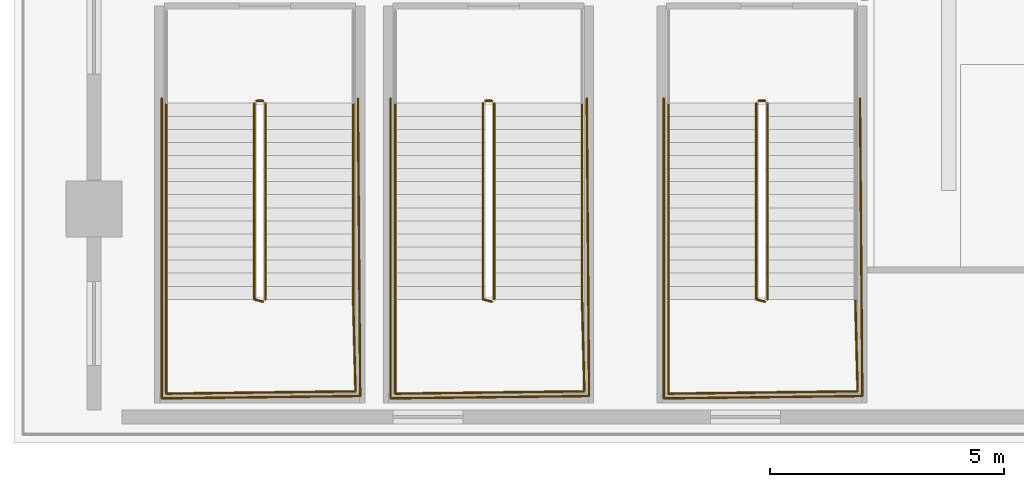
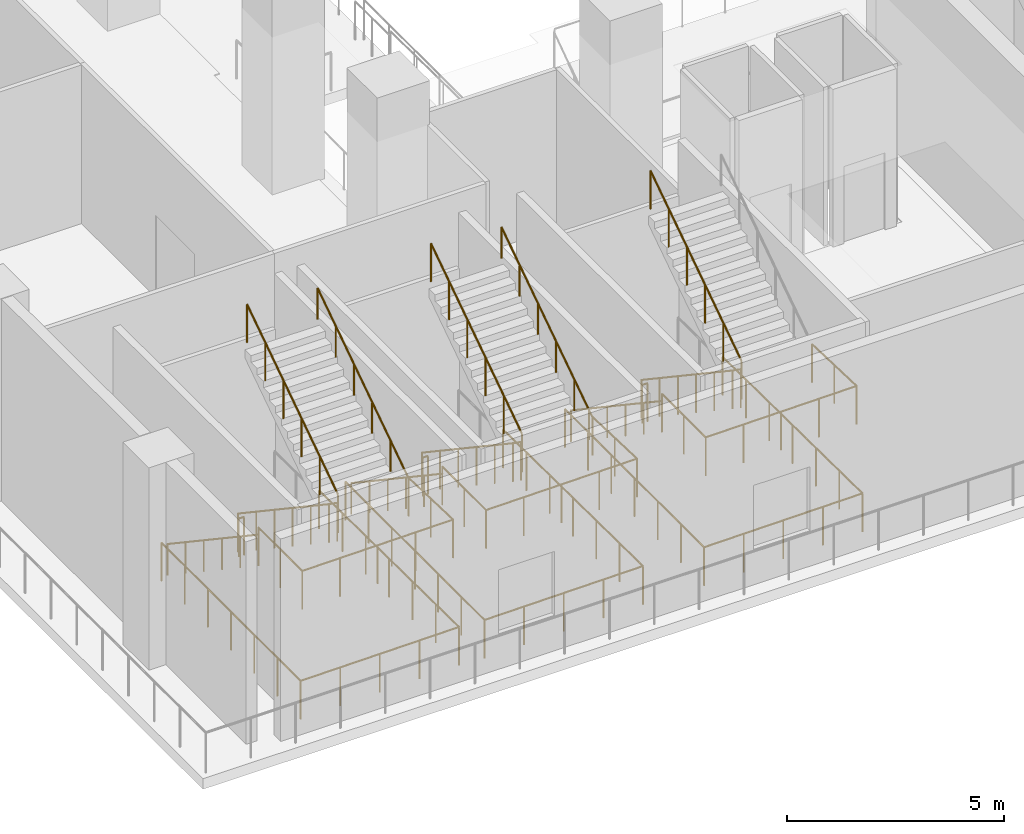
# One storey, part 14 of 28: 20 railings.
"""IFC4 building model written with IfcOpenShell, lengths in metres."""

from ifc_helpers import new_model, si_unit, direction, frame, origin, origin_2d, place, context, subcontext, project, spatial, circle, extrude, material, layer, layer_set, type_object, element, save


model = new_model("IFC4")

# Units and contexts
model_context = context("Model", 3, precision=1e-05, world=origin(), true_north=direction((0.0, 1.0)))
body_context = subcontext(model_context, "Body", "Model", "MODEL_VIEW")
ifc_project = project(units=[si_unit("LENGTHUNIT", "METRE"), si_unit("AREAUNIT", "SQUARE_METRE"), si_unit("VOLUMEUNIT", "CUBIC_METRE"), si_unit("PLANEANGLEUNIT", "RADIAN"), si_unit("MASSUNIT", "GRAM", prefix="KILO")], contexts=[model_context])

# Site, building, storey
site_placement = place(None, origin())
site = spatial("IfcSite", under=ifc_project, at=site_placement, CompositionType="ELEMENT")
building_placement = place(site_placement, origin())
building = spatial("IfcBuilding", under=site, at=building_placement, Name="Ndaravel Arena Tower", CompositionType="ELEMENT")
storey_placement = place(building_placement, frame((0.0, 0.0, 18.0)))
storey = spatial("IfcBuildingStorey", under=building, at=storey_placement, Name="L03", CompositionType="ELEMENT", Elevation=18.0)

# Railings
ifc_material_1 = material(Name="Steel S355", Category="steel")
ifc_layer_1 = layer(ifc_material_1, 0.06005859375)
ifc_layer_set_1 = layer_set([ifc_layer_1], Name="Steel S355")
railing_type_1 = type_object("IfcRailingType", Name="RAIL-STAIR-GD1100", PredefinedType="GUARDRAIL", material=ifc_layer_set_1)
railing_1_placement = place(storey_placement, frame((5.1298828125, 7.27001953125, 0.1875)))
element("IfcRailing", 1, at=railing_1_placement, inside=storey, type_object=railing_type_1, Name="L03 ST-A01 stair guard 1", PredefinedType="GUARDRAIL", context=body_context, shape_type="SweptSolid", body=[
    extrude(circle(Radius=0.02392578125, at=origin_2d()), frame((0.0, 0.0, 1.076171875), z_axis=(0.0, -0.830904186295, 0.556415522067), x_axis=(1.0, 0.0, 0.0)), (0.0, 0.0, 1.0), 5.0546875),
    extrude(circle(Radius=0.02392578125, at=origin_2d()), frame((0.0, -4.199951171875, 3.888671875), z_axis=(0.967074537263, -0.25449329928, 0.0), x_axis=(0.25449329928, 0.967074537263, 0.0)), (0.0, 0.0, 1.0), 0.19677734375),
    extrude(circle(Radius=0.02099609375, at=origin_2d()), origin(), (0.0, 0.0, 1.0), 1.052001953125),
    extrude(circle(Radius=0.02099609375, at=origin_2d()), frame((0.0, -0.840087890625, 0.5625)), (0.0, 0.0, 1.0), 1.052001953125),
    extrude(circle(Radius=0.02099609375, at=origin_2d()), frame((0.0, -1.679931640625, 1.125)), (0.0, 0.0, 1.0), 1.052001953125),
    extrude(circle(Radius=0.02099609375, at=origin_2d()), frame((0.0, -2.52001953125, 1.6875)), (0.0, 0.0, 1.0), 1.052001953125),
    extrude(circle(Radius=0.02099609375, at=origin_2d()), frame((0.0, -3.35986328125, 2.25)), (0.0, 0.0, 1.0), 1.052001953125),
    extrude(circle(Radius=0.02099609375, at=origin_2d()), frame((0.0, -4.199951171875, 2.8125)), (0.0, 0.0, 1.0), 1.052001953125),
    extrude(circle(Radius=0.02099609375, at=origin_2d()), frame((0.190185546875, -4.25, 2.8125)), (0.0, 0.0, 1.0), 1.052001953125),
])
railing_2_placement = place(storey_placement, frame((3.25, 3.070068359375, 3.0)))
element("IfcRailing", 2, at=railing_2_placement, inside=storey, type_object=railing_type_1, Name="L03 ST-A01 stair guard 2", PredefinedType="GUARDRAIL", context=body_context, shape_type="SweptSolid", body=[
    extrude(circle(Radius=0.02392578125, at=origin_2d()), frame((0.0, 0.0, 1.076171875), z_axis=(0.0, -1.0, 0.0), x_axis=(1.0, 0.0, 0.0)), (0.0, 0.0, 1.0), 2.02001953125),
    extrude(circle(Radius=0.02392578125, at=origin_2d()), frame((0.0, -2.02001953125, 1.076171875), z_axis=(0.999923653774, 0.012356642897, 0.0), x_axis=(-0.012356642897, 0.999923653774, 0.0)), (0.0, 0.0, 1.0), 4.05029296875),
    extrude(circle(Radius=0.02392578125, at=origin_2d()), frame((4.050048828125, -1.969970703125, 1.076171875), z_axis=(-0.025397679083, 0.999677426922, 0.0), x_axis=(-0.999677426922, -0.025397679083, 0.0)), (0.0, 0.0, 1.0), 1.970703125),
    extrude(circle(Radius=0.02099609375, at=origin_2d()), origin(), (0.0, 0.0, 1.0), 1.052001953125),
    extrude(circle(Radius=0.02099609375, at=origin_2d()), frame((0.0, -1.010009765625, 0.0)), (0.0, 0.0, 1.0), 1.052001953125),
    extrude(circle(Radius=0.02099609375, at=origin_2d()), frame((0.0, -2.02001953125, 0.0)), (0.0, 0.0, 1.0), 1.052001953125),
    extrude(circle(Radius=0.02099609375, at=origin_2d()), frame((1.012451171875, -2.007568359375, 0.0)), (0.0, 0.0, 1.0), 1.052001953125),
    extrude(circle(Radius=0.02099609375, at=origin_2d()), frame((2.02490234375, -1.9951171875, 0.0)), (0.0, 0.0, 1.0), 1.052001953125),
    extrude(circle(Radius=0.02099609375, at=origin_2d()), frame((3.03759765625, -1.982421875, 0.0)), (0.0, 0.0, 1.0), 1.052001953125),
    extrude(circle(Radius=0.02099609375, at=origin_2d()), frame((4.050048828125, -1.969970703125, 0.0)), (0.0, 0.0, 1.0), 1.052001953125),
    extrude(circle(Radius=0.02099609375, at=origin_2d()), frame((4.02490234375, -0.98486328125, 0.0)), (0.0, 0.0, 1.0), 1.052001953125),
    extrude(circle(Radius=0.02099609375, at=origin_2d()), frame((4.0, 0.0, 0.0)), (0.0, 0.0, 1.0), 1.052001953125),
])
railing_3_placement = place(storey_placement, frame((5.3701171875, 3.070068359375, 3.1875)))
element("IfcRailing", 3, at=railing_3_placement, inside=storey, type_object=railing_type_1, Name="L03 ST-A01 stair guard 3", PredefinedType="GUARDRAIL", context=body_context, shape_type="SweptSolid", body=[
    extrude(circle(Radius=0.02392578125, at=origin_2d()), frame((0.0, 0.0, 1.076171875), z_axis=(0.0, 0.830904186295, 0.556415522067), x_axis=(-1.0, 0.0, 0.0)), (0.0, 0.0, 1.0), 5.0546875),
    extrude(circle(Radius=0.02099609375, at=origin_2d()), origin(), (0.0, 0.0, 1.0), 1.052001953125),
    extrude(circle(Radius=0.02099609375, at=origin_2d()), frame((0.0, 0.840087890625, 0.5625)), (0.0, 0.0, 1.0), 1.052001953125),
    extrude(circle(Radius=0.02099609375, at=origin_2d()), frame((0.0, 1.679931640625, 1.125)), (0.0, 0.0, 1.0), 1.052001953125),
    extrude(circle(Radius=0.02099609375, at=origin_2d()), frame((0.0, 2.52001953125, 1.6875)), (0.0, 0.0, 1.0), 1.052001953125),
    extrude(circle(Radius=0.02099609375, at=origin_2d()), frame((0.0, 3.35986328125, 2.25)), (0.0, 0.0, 1.0), 1.052001953125),
    extrude(circle(Radius=0.02099609375, at=origin_2d()), frame((0.0, 4.199951171875, 2.8125)), (0.0, 0.0, 1.0), 1.052001953125),
])
railing_4_placement = place(storey_placement, frame((5.179931640625, 7.320068359375, 0.0)))
element("IfcRailing", 4, at=railing_4_placement, inside=storey, type_object=railing_type_1, Name="L03 ST-A01 stair guard 4", PredefinedType="GUARDRAIL", context=body_context, shape_type="SweptSolid", body=[
    extrude(circle(Radius=0.02392578125, at=origin_2d()), frame((0.0, 0.0, 1.076171875), z_axis=(1.0, 0.0, 0.0), x_axis=(0.0, 1.0, 0.0)), (0.0, 0.0, 1.0), 0.14013671875),
    extrude(circle(Radius=0.02099609375, at=origin_2d()), origin(), (0.0, 0.0, 1.0), 1.052001953125),
    extrude(circle(Radius=0.02099609375, at=origin_2d()), frame((0.14013671875, 0.0, 0.0)), (0.0, 0.0, 1.0), 1.052001953125),
])
railing_5_placement = place(storey_placement, frame((3.14990234375, 7.3701171875, 0.0)))
element("IfcRailing", 5, at=railing_5_placement, inside=storey, type_object=railing_type_1, Name="L03 ST-A01 stair guard 7", PredefinedType="GUARDRAIL", context=body_context, shape_type="SweptSolid", body=[
    extrude(circle(Radius=0.02392578125, at=origin_2d()), frame((0.0, 0.0, 1.076171875), z_axis=(0.0, -1.0, 0.0), x_axis=(1.0, 0.0, 0.0)), (0.0, 0.0, 1.0), 6.420166015625),
    extrude(circle(Radius=0.02392578125, at=origin_2d()), frame((0.0, -6.420166015625, 1.076171875), z_axis=(0.999930667828, 0.011775378384, 0.0), x_axis=(-0.011775378384, 0.999930667828, 0.0)), (0.0, 0.0, 1.0), 4.250244140625),
    extrude(circle(Radius=0.02392578125, at=origin_2d()), frame((4.25, -6.3701171875, 1.076171875), z_axis=(-0.007818249469, 0.999969437021, 0.0), x_axis=(-0.999969437021, -0.007818249469, 0.0)), (0.0, 0.0, 1.0), 6.370361328125),
    extrude(circle(Radius=0.02099609375, at=origin_2d()), origin(), (0.0, 0.0, 1.0), 1.052001953125),
    extrude(circle(Radius=0.02099609375, at=origin_2d()), frame((0.0, -1.070068359375, 0.0)), (0.0, 0.0, 1.0), 1.052001953125),
    extrude(circle(Radius=0.02099609375, at=origin_2d()), frame((0.0, -2.14013671875, 0.0)), (0.0, 0.0, 1.0), 1.052001953125),
    extrude(circle(Radius=0.02099609375, at=origin_2d()), frame((0.0, -3.2099609375, 0.0)), (0.0, 0.0, 1.0), 1.052001953125),
    extrude(circle(Radius=0.02099609375, at=origin_2d()), frame((0.0, -4.280029296875, 0.0)), (0.0, 0.0, 1.0), 1.052001953125),
    extrude(circle(Radius=0.02099609375, at=origin_2d()), frame((0.0, -5.35009765625, 0.0)), (0.0, 0.0, 1.0), 1.052001953125),
    extrude(circle(Radius=0.02099609375, at=origin_2d()), frame((0.0, -6.420166015625, 0.0)), (0.0, 0.0, 1.0), 1.052001953125),
    extrude(circle(Radius=0.02099609375, at=origin_2d()), frame((1.0625, -6.40771484375, 0.0)), (0.0, 0.0, 1.0), 1.052001953125),
    extrude(circle(Radius=0.02099609375, at=origin_2d()), frame((2.125, -6.39501953125, 0.0)), (0.0, 0.0, 1.0), 1.052001953125),
    extrude(circle(Radius=0.02099609375, at=origin_2d()), frame((3.1875, -6.382568359375, 0.0)), (0.0, 0.0, 1.0), 1.052001953125),
    extrude(circle(Radius=0.02099609375, at=origin_2d()), frame((4.25, -6.3701171875, 0.0)), (0.0, 0.0, 1.0), 1.052001953125),
    extrude(circle(Radius=0.02099609375, at=origin_2d()), frame((4.24169921875, -5.308349609375, 0.0)), (0.0, 0.0, 1.0), 1.052001953125),
    extrude(circle(Radius=0.02099609375, at=origin_2d()), frame((4.2333984375, -4.246826171875, 0.0)), (0.0, 0.0, 1.0), 1.052001953125),
    extrude(circle(Radius=0.02099609375, at=origin_2d()), frame((4.22509765625, -3.18505859375, 0.0)), (0.0, 0.0, 1.0), 1.052001953125),
    extrude(circle(Radius=0.02099609375, at=origin_2d()), frame((4.216796875, -2.123291015625, 0.0)), (0.0, 0.0, 1.0), 1.052001953125),
    extrude(circle(Radius=0.02099609375, at=origin_2d()), frame((4.20849609375, -1.061767578125, 0.0)), (0.0, 0.0, 1.0), 1.052001953125),
    extrude(circle(Radius=0.02099609375, at=origin_2d()), frame((4.2001953125, 0.0, 0.0)), (0.0, 0.0, 1.0), 1.052001953125),
])
railing_6_placement = place(storey_placement, frame((10.030029296875, 7.27001953125, 0.1875)))
element("IfcRailing", 6, at=railing_6_placement, inside=storey, type_object=railing_type_1, Name="L03 ST-A02 stair guard 1", PredefinedType="GUARDRAIL", context=body_context, shape_type="SweptSolid", body=[
    extrude(circle(Radius=0.02392578125, at=origin_2d()), frame((0.0, 0.0, 1.076171875), z_axis=(0.0, -0.830904186295, 0.556415522067), x_axis=(1.0, 0.0, 0.0)), (0.0, 0.0, 1.0), 5.0546875),
    extrude(circle(Radius=0.02392578125, at=origin_2d()), frame((0.0, -4.199951171875, 3.888671875), z_axis=(0.966993988697, -0.254799187253, 0.0), x_axis=(0.254799187253, 0.966993988697, 0.0)), (0.0, 0.0, 1.0), 0.196533203125),
    extrude(circle(Radius=0.02099609375, at=origin_2d()), origin(), (0.0, 0.0, 1.0), 1.052001953125),
    extrude(circle(Radius=0.02099609375, at=origin_2d()), frame((0.0, -0.840087890625, 0.5625)), (0.0, 0.0, 1.0), 1.052001953125),
    extrude(circle(Radius=0.02099609375, at=origin_2d()), frame((0.0, -1.679931640625, 1.125)), (0.0, 0.0, 1.0), 1.052001953125),
    extrude(circle(Radius=0.02099609375, at=origin_2d()), frame((0.0, -2.52001953125, 1.6875)), (0.0, 0.0, 1.0), 1.052001953125),
    extrude(circle(Radius=0.02099609375, at=origin_2d()), frame((0.0, -3.35986328125, 2.25)), (0.0, 0.0, 1.0), 1.052001953125),
    extrude(circle(Radius=0.02099609375, at=origin_2d()), frame((0.0, -4.199951171875, 2.8125)), (0.0, 0.0, 1.0), 1.052001953125),
    extrude(circle(Radius=0.02099609375, at=origin_2d()), frame((0.18994140625, -4.25, 2.8125)), (0.0, 0.0, 1.0), 1.052001953125),
])
railing_7_placement = place(storey_placement, frame((8.14990234375, 3.070068359375, 3.0)))
element("IfcRailing", 7, at=railing_7_placement, inside=storey, type_object=railing_type_1, Name="L03 ST-A02 stair guard 2", PredefinedType="GUARDRAIL", context=body_context, shape_type="SweptSolid", body=[
    extrude(circle(Radius=0.02392578125, at=origin_2d()), frame((0.0, 0.0, 1.076171875), z_axis=(0.0, -1.0, 0.0), x_axis=(1.0, 0.0, 0.0)), (0.0, 0.0, 1.0), 2.02001953125),
    extrude(circle(Radius=0.02392578125, at=origin_2d()), frame((0.0, -2.02001953125, 1.076171875), z_axis=(0.999923653774, 0.012356642897, 0.0), x_axis=(-0.012356642897, 0.999923653774, 0.0)), (0.0, 0.0, 1.0), 4.05029296875),
    extrude(circle(Radius=0.02392578125, at=origin_2d()), frame((4.050048828125, -1.969970703125, 1.076171875), z_axis=(-0.025397679083, 0.999677426922, 0.0), x_axis=(-0.999677426922, -0.025397679083, 0.0)), (0.0, 0.0, 1.0), 1.970703125),
    extrude(circle(Radius=0.02099609375, at=origin_2d()), origin(), (0.0, 0.0, 1.0), 1.052001953125),
    extrude(circle(Radius=0.02099609375, at=origin_2d()), frame((0.0, -1.010009765625, 0.0)), (0.0, 0.0, 1.0), 1.052001953125),
    extrude(circle(Radius=0.02099609375, at=origin_2d()), frame((0.0, -2.02001953125, 0.0)), (0.0, 0.0, 1.0), 1.052001953125),
    extrude(circle(Radius=0.02099609375, at=origin_2d()), frame((1.012451171875, -2.007568359375, 0.0)), (0.0, 0.0, 1.0), 1.052001953125),
    extrude(circle(Radius=0.02099609375, at=origin_2d()), frame((2.02490234375, -1.9951171875, 0.0)), (0.0, 0.0, 1.0), 1.052001953125),
    extrude(circle(Radius=0.02099609375, at=origin_2d()), frame((3.03759765625, -1.982421875, 0.0)), (0.0, 0.0, 1.0), 1.052001953125),
    extrude(circle(Radius=0.02099609375, at=origin_2d()), frame((4.050048828125, -1.969970703125, 0.0)), (0.0, 0.0, 1.0), 1.052001953125),
    extrude(circle(Radius=0.02099609375, at=origin_2d()), frame((4.02490234375, -0.98486328125, 0.0)), (0.0, 0.0, 1.0), 1.052001953125),
    extrude(circle(Radius=0.02099609375, at=origin_2d()), frame((4.0, 0.0, 0.0)), (0.0, 0.0, 1.0), 1.052001953125),
])
railing_8_placement = place(storey_placement, frame((10.27001953125, 3.070068359375, 3.1875)))
element("IfcRailing", 8, at=railing_8_placement, inside=storey, type_object=railing_type_1, Name="L03 ST-A02 stair guard 3", PredefinedType="GUARDRAIL", context=body_context, shape_type="SweptSolid", body=[
    extrude(circle(Radius=0.02392578125, at=origin_2d()), frame((0.0, 0.0, 1.076171875), z_axis=(0.0, 0.830904186295, 0.556415522067), x_axis=(-1.0, 0.0, 0.0)), (0.0, 0.0, 1.0), 5.0546875),
    extrude(circle(Radius=0.02099609375, at=origin_2d()), origin(), (0.0, 0.0, 1.0), 1.052001953125),
    extrude(circle(Radius=0.02099609375, at=origin_2d()), frame((0.0, 0.840087890625, 0.5625)), (0.0, 0.0, 1.0), 1.052001953125),
    extrude(circle(Radius=0.02099609375, at=origin_2d()), frame((0.0, 1.679931640625, 1.125)), (0.0, 0.0, 1.0), 1.052001953125),
    extrude(circle(Radius=0.02099609375, at=origin_2d()), frame((0.0, 2.52001953125, 1.6875)), (0.0, 0.0, 1.0), 1.052001953125),
    extrude(circle(Radius=0.02099609375, at=origin_2d()), frame((0.0, 3.35986328125, 2.25)), (0.0, 0.0, 1.0), 1.052001953125),
    extrude(circle(Radius=0.02099609375, at=origin_2d()), frame((0.0, 4.199951171875, 2.8125)), (0.0, 0.0, 1.0), 1.052001953125),
])
railing_9_placement = place(storey_placement, frame((10.080078125, 7.320068359375, 0.0)))
element("IfcRailing", 9, at=railing_9_placement, inside=storey, type_object=railing_type_1, Name="L03 ST-A02 stair guard 4", PredefinedType="GUARDRAIL", context=body_context, shape_type="SweptSolid", body=[
    extrude(circle(Radius=0.02392578125, at=origin_2d()), frame((0.0, 0.0, 1.076171875), z_axis=(1.0, 0.0, 0.0), x_axis=(0.0, 1.0, 0.0)), (0.0, 0.0, 1.0), 0.139892578125),
    extrude(circle(Radius=0.02099609375, at=origin_2d()), origin(), (0.0, 0.0, 1.0), 1.052001953125),
    extrude(circle(Radius=0.02099609375, at=origin_2d()), frame((0.139892578125, 0.0, 0.0)), (0.0, 0.0, 1.0), 1.052001953125),
])
railing_10_placement = place(storey_placement, frame((8.050048828125, 7.3701171875, 0.0)))
element("IfcRailing", 10, at=railing_10_placement, inside=storey, type_object=railing_type_1, Name="L03 ST-A02 stair guard 7", PredefinedType="GUARDRAIL", context=body_context, shape_type="SweptSolid", body=[
    extrude(circle(Radius=0.02392578125, at=origin_2d()), frame((0.0, 0.0, 1.076171875), z_axis=(0.0, -1.0, 0.0), x_axis=(1.0, 0.0, 0.0)), (0.0, 0.0, 1.0), 6.420166015625),
    extrude(circle(Radius=0.02392578125, at=origin_2d()), frame((0.0, -6.420166015625, 1.076171875), z_axis=(0.999930667828, 0.011775378384, 0.0), x_axis=(-0.011775378384, 0.999930667828, 0.0)), (0.0, 0.0, 1.0), 4.250244140625),
    extrude(circle(Radius=0.02392578125, at=origin_2d()), frame((4.25, -6.3701171875, 1.076171875), z_axis=(-0.007856571862, 0.999969136663, 0.0), x_axis=(-0.999969136663, -0.007856571862, 0.0)), (0.0, 0.0, 1.0), 6.370361328125),
    extrude(circle(Radius=0.02099609375, at=origin_2d()), origin(), (0.0, 0.0, 1.0), 1.052001953125),
    extrude(circle(Radius=0.02099609375, at=origin_2d()), frame((0.0, -1.070068359375, 0.0)), (0.0, 0.0, 1.0), 1.052001953125),
    extrude(circle(Radius=0.02099609375, at=origin_2d()), frame((0.0, -2.14013671875, 0.0)), (0.0, 0.0, 1.0), 1.052001953125),
    extrude(circle(Radius=0.02099609375, at=origin_2d()), frame((0.0, -3.2099609375, 0.0)), (0.0, 0.0, 1.0), 1.052001953125),
    extrude(circle(Radius=0.02099609375, at=origin_2d()), frame((0.0, -4.280029296875, 0.0)), (0.0, 0.0, 1.0), 1.052001953125),
    extrude(circle(Radius=0.02099609375, at=origin_2d()), frame((0.0, -5.35009765625, 0.0)), (0.0, 0.0, 1.0), 1.052001953125),
    extrude(circle(Radius=0.02099609375, at=origin_2d()), frame((0.0, -6.420166015625, 0.0)), (0.0, 0.0, 1.0), 1.052001953125),
    extrude(circle(Radius=0.02099609375, at=origin_2d()), frame((1.0625, -6.40771484375, 0.0)), (0.0, 0.0, 1.0), 1.052001953125),
    extrude(circle(Radius=0.02099609375, at=origin_2d()), frame((2.125, -6.39501953125, 0.0)), (0.0, 0.0, 1.0), 1.052001953125),
    extrude(circle(Radius=0.02099609375, at=origin_2d()), frame((3.1875, -6.382568359375, 0.0)), (0.0, 0.0, 1.0), 1.052001953125),
    extrude(circle(Radius=0.02099609375, at=origin_2d()), frame((4.25, -6.3701171875, 0.0)), (0.0, 0.0, 1.0), 1.052001953125),
    extrude(circle(Radius=0.02099609375, at=origin_2d()), frame((4.24169921875, -5.308349609375, 0.0)), (0.0, 0.0, 1.0), 1.052001953125),
    extrude(circle(Radius=0.02099609375, at=origin_2d()), frame((4.2333984375, -4.246826171875, 0.0)), (0.0, 0.0, 1.0), 1.052001953125),
    extrude(circle(Radius=0.02099609375, at=origin_2d()), frame((4.22509765625, -3.18505859375, 0.0)), (0.0, 0.0, 1.0), 1.052001953125),
    extrude(circle(Radius=0.02099609375, at=origin_2d()), frame((4.216552734375, -2.123291015625, 0.0)), (0.0, 0.0, 1.0), 1.052001953125),
    extrude(circle(Radius=0.02099609375, at=origin_2d()), frame((4.208251953125, -1.061767578125, 0.0)), (0.0, 0.0, 1.0), 1.052001953125),
    extrude(circle(Radius=0.02099609375, at=origin_2d()), frame((4.199951171875, 0.0, 0.0)), (0.0, 0.0, 1.0), 1.052001953125),
])
railing_11_placement = place(storey_placement, frame((15.8798828125, 7.27001953125, 0.1875)))
element("IfcRailing", 11, at=railing_11_placement, inside=storey, type_object=railing_type_1, Name="L03 ST-A03 stair guard 1", PredefinedType="GUARDRAIL", context=body_context, shape_type="SweptSolid", body=[
    extrude(circle(Radius=0.02392578125, at=origin_2d()), frame((0.0, 0.0, 1.076171875), z_axis=(0.0, -0.830904186295, 0.556415522067), x_axis=(1.0, 0.0, 0.0)), (0.0, 0.0, 1.0), 5.0546875),
    extrude(circle(Radius=0.02392578125, at=origin_2d()), frame((0.0, -4.199951171875, 3.888671875), z_axis=(0.967074537263, -0.25449329928, 0.0), x_axis=(0.25449329928, 0.967074537263, 0.0)), (0.0, 0.0, 1.0), 0.19677734375),
    extrude(circle(Radius=0.02099609375, at=origin_2d()), origin(), (0.0, 0.0, 1.0), 1.052001953125),
    extrude(circle(Radius=0.02099609375, at=origin_2d()), frame((0.0, -0.840087890625, 0.5625)), (0.0, 0.0, 1.0), 1.052001953125),
    extrude(circle(Radius=0.02099609375, at=origin_2d()), frame((0.0, -1.679931640625, 1.125)), (0.0, 0.0, 1.0), 1.052001953125),
    extrude(circle(Radius=0.02099609375, at=origin_2d()), frame((0.0, -2.52001953125, 1.6875)), (0.0, 0.0, 1.0), 1.052001953125),
    extrude(circle(Radius=0.02099609375, at=origin_2d()), frame((0.0, -3.35986328125, 2.25)), (0.0, 0.0, 1.0), 1.052001953125),
    extrude(circle(Radius=0.02099609375, at=origin_2d()), frame((0.0, -4.199951171875, 2.8125)), (0.0, 0.0, 1.0), 1.052001953125),
    extrude(circle(Radius=0.02099609375, at=origin_2d()), frame((0.190185546875, -4.25, 2.8125)), (0.0, 0.0, 1.0), 1.052001953125),
])
railing_12_placement = place(storey_placement, frame((14.0, 3.070068359375, 3.0)))
element("IfcRailing", 12, at=railing_12_placement, inside=storey, type_object=railing_type_1, Name="L03 ST-A03 stair guard 2", PredefinedType="GUARDRAIL", context=body_context, shape_type="SweptSolid", body=[
    extrude(circle(Radius=0.02392578125, at=origin_2d()), frame((0.0, 0.0, 1.076171875), z_axis=(0.0, -1.0, 0.0), x_axis=(1.0, 0.0, 0.0)), (0.0, 0.0, 1.0), 2.02001953125),
    extrude(circle(Radius=0.02392578125, at=origin_2d()), frame((0.0, -2.02001953125, 1.076171875), z_axis=(0.999923653774, 0.012356642897, 0.0), x_axis=(-0.012356642897, 0.999923653774, 0.0)), (0.0, 0.0, 1.0), 4.05029296875),
    extrude(circle(Radius=0.02392578125, at=origin_2d()), frame((4.050048828125, -1.969970703125, 1.076171875), z_axis=(-0.025397679083, 0.999677426922, 0.0), x_axis=(-0.999677426922, -0.025397679083, 0.0)), (0.0, 0.0, 1.0), 1.970703125),
    extrude(circle(Radius=0.02099609375, at=origin_2d()), origin(), (0.0, 0.0, 1.0), 1.052001953125),
    extrude(circle(Radius=0.02099609375, at=origin_2d()), frame((0.0, -1.010009765625, 0.0)), (0.0, 0.0, 1.0), 1.052001953125),
    extrude(circle(Radius=0.02099609375, at=origin_2d()), frame((0.0, -2.02001953125, 0.0)), (0.0, 0.0, 1.0), 1.052001953125),
    extrude(circle(Radius=0.02099609375, at=origin_2d()), frame((1.012451171875, -2.007568359375, 0.0)), (0.0, 0.0, 1.0), 1.052001953125),
    extrude(circle(Radius=0.02099609375, at=origin_2d()), frame((2.02490234375, -1.9951171875, 0.0)), (0.0, 0.0, 1.0), 1.052001953125),
    extrude(circle(Radius=0.02099609375, at=origin_2d()), frame((3.03759765625, -1.982421875, 0.0)), (0.0, 0.0, 1.0), 1.052001953125),
    extrude(circle(Radius=0.02099609375, at=origin_2d()), frame((4.050048828125, -1.969970703125, 0.0)), (0.0, 0.0, 1.0), 1.052001953125),
    extrude(circle(Radius=0.02099609375, at=origin_2d()), frame((4.02490234375, -0.98486328125, 0.0)), (0.0, 0.0, 1.0), 1.052001953125),
    extrude(circle(Radius=0.02099609375, at=origin_2d()), frame((4.0, 0.0, 0.0)), (0.0, 0.0, 1.0), 1.052001953125),
])
railing_13_placement = place(storey_placement, frame((16.1201171875, 3.070068359375, 3.1875)))
element("IfcRailing", 13, at=railing_13_placement, inside=storey, type_object=railing_type_1, Name="L03 ST-A03 stair guard 3", PredefinedType="GUARDRAIL", context=body_context, shape_type="SweptSolid", body=[
    extrude(circle(Radius=0.02392578125, at=origin_2d()), frame((0.0, 0.0, 1.076171875), z_axis=(0.0, 0.830904186295, 0.556415522067), x_axis=(-1.0, 0.0, 0.0)), (0.0, 0.0, 1.0), 5.0546875),
    extrude(circle(Radius=0.02099609375, at=origin_2d()), origin(), (0.0, 0.0, 1.0), 1.052001953125),
    extrude(circle(Radius=0.02099609375, at=origin_2d()), frame((0.0, 0.840087890625, 0.5625)), (0.0, 0.0, 1.0), 1.052001953125),
    extrude(circle(Radius=0.02099609375, at=origin_2d()), frame((0.0, 1.679931640625, 1.125)), (0.0, 0.0, 1.0), 1.052001953125),
    extrude(circle(Radius=0.02099609375, at=origin_2d()), frame((0.0, 2.52001953125, 1.6875)), (0.0, 0.0, 1.0), 1.052001953125),
    extrude(circle(Radius=0.02099609375, at=origin_2d()), frame((0.0, 3.35986328125, 2.25)), (0.0, 0.0, 1.0), 1.052001953125),
    extrude(circle(Radius=0.02099609375, at=origin_2d()), frame((0.0, 4.199951171875, 2.8125)), (0.0, 0.0, 1.0), 1.052001953125),
])
railing_14_placement = place(storey_placement, frame((15.929931640625, 7.320068359375, 0.0)))
element("IfcRailing", 14, at=railing_14_placement, inside=storey, type_object=railing_type_1, Name="L03 ST-A03 stair guard 4", PredefinedType="GUARDRAIL", context=body_context, shape_type="SweptSolid", body=[
    extrude(circle(Radius=0.02392578125, at=origin_2d()), frame((0.0, 0.0, 1.076171875), z_axis=(1.0, 0.0, 0.0), x_axis=(0.0, 1.0, 0.0)), (0.0, 0.0, 1.0), 0.14013671875),
    extrude(circle(Radius=0.02099609375, at=origin_2d()), origin(), (0.0, 0.0, 1.0), 1.052001953125),
    extrude(circle(Radius=0.02099609375, at=origin_2d()), frame((0.14013671875, 0.0, 0.0)), (0.0, 0.0, 1.0), 1.052001953125),
])
railing_15_placement = place(storey_placement, frame((13.89990234375, 7.3701171875, 0.0)))
element("IfcRailing", 15, at=railing_15_placement, inside=storey, type_object=railing_type_1, Name="L03 ST-A03 stair guard 7", PredefinedType="GUARDRAIL", context=body_context, shape_type="SweptSolid", body=[
    extrude(circle(Radius=0.02392578125, at=origin_2d()), frame((0.0, 0.0, 1.076171875), z_axis=(0.0, -1.0, 0.0), x_axis=(1.0, 0.0, 0.0)), (0.0, 0.0, 1.0), 6.420166015625),
    extrude(circle(Radius=0.02392578125, at=origin_2d()), frame((0.0, -6.420166015625, 1.076171875), z_axis=(0.999930667828, 0.011775378384, 0.0), x_axis=(-0.011775378384, 0.999930667828, 0.0)), (0.0, 0.0, 1.0), 4.250244140625),
    extrude(circle(Radius=0.02392578125, at=origin_2d()), frame((4.25, -6.3701171875, 1.076171875), z_axis=(-0.007818249469, 0.999969437021, 0.0), x_axis=(-0.999969437021, -0.007818249469, 0.0)), (0.0, 0.0, 1.0), 6.370361328125),
    extrude(circle(Radius=0.02099609375, at=origin_2d()), origin(), (0.0, 0.0, 1.0), 1.052001953125),
    extrude(circle(Radius=0.02099609375, at=origin_2d()), frame((0.0, -1.070068359375, 0.0)), (0.0, 0.0, 1.0), 1.052001953125),
    extrude(circle(Radius=0.02099609375, at=origin_2d()), frame((0.0, -2.14013671875, 0.0)), (0.0, 0.0, 1.0), 1.052001953125),
    extrude(circle(Radius=0.02099609375, at=origin_2d()), frame((0.0, -3.2099609375, 0.0)), (0.0, 0.0, 1.0), 1.052001953125),
    extrude(circle(Radius=0.02099609375, at=origin_2d()), frame((0.0, -4.280029296875, 0.0)), (0.0, 0.0, 1.0), 1.052001953125),
    extrude(circle(Radius=0.02099609375, at=origin_2d()), frame((0.0, -5.35009765625, 0.0)), (0.0, 0.0, 1.0), 1.052001953125),
    extrude(circle(Radius=0.02099609375, at=origin_2d()), frame((0.0, -6.420166015625, 0.0)), (0.0, 0.0, 1.0), 1.052001953125),
    extrude(circle(Radius=0.02099609375, at=origin_2d()), frame((1.0625, -6.40771484375, 0.0)), (0.0, 0.0, 1.0), 1.052001953125),
    extrude(circle(Radius=0.02099609375, at=origin_2d()), frame((2.125, -6.39501953125, 0.0)), (0.0, 0.0, 1.0), 1.052001953125),
    extrude(circle(Radius=0.02099609375, at=origin_2d()), frame((3.1875, -6.382568359375, 0.0)), (0.0, 0.0, 1.0), 1.052001953125),
    extrude(circle(Radius=0.02099609375, at=origin_2d()), frame((4.25, -6.3701171875, 0.0)), (0.0, 0.0, 1.0), 1.052001953125),
    extrude(circle(Radius=0.02099609375, at=origin_2d()), frame((4.24169921875, -5.308349609375, 0.0)), (0.0, 0.0, 1.0), 1.052001953125),
    extrude(circle(Radius=0.02099609375, at=origin_2d()), frame((4.2333984375, -4.246826171875, 0.0)), (0.0, 0.0, 1.0), 1.052001953125),
    extrude(circle(Radius=0.02099609375, at=origin_2d()), frame((4.22509765625, -3.18505859375, 0.0)), (0.0, 0.0, 1.0), 1.052001953125),
    extrude(circle(Radius=0.02099609375, at=origin_2d()), frame((4.216796875, -2.123291015625, 0.0)), (0.0, 0.0, 1.0), 1.052001953125),
    extrude(circle(Radius=0.02099609375, at=origin_2d()), frame((4.20849609375, -1.061767578125, 0.0)), (0.0, 0.0, 1.0), 1.052001953125),
    extrude(circle(Radius=0.02099609375, at=origin_2d()), frame((4.2001953125, 0.0, 0.0)), (0.0, 0.0, 1.0), 1.052001953125),
])
ifc_material_2 = material(Name="Steel S355", Category="steel")
ifc_layer_2 = layer(ifc_material_2, 0.050048828125)
ifc_layer_set_2 = layer_set([ifc_layer_2], Name="Steel S355")
railing_type_2 = type_object("IfcRailingType", Name="RAIL-STAIR-HR920", PredefinedType="HANDRAIL", material=ifc_layer_set_2)
railing_16_placement = place(storey_placement, frame((3.25, 7.27001953125, 0.1875)))
element("IfcRailing", 16, at=railing_16_placement, inside=storey, type_object=railing_type_2, Name="L03 ST-A01 stair handrail 1", PredefinedType="HANDRAIL", context=body_context, shape_type="SweptSolid", body=[
    extrude(circle(Radius=0.02392578125, at=origin_2d()), frame((0.0, 0.0, 0.8759765625), z_axis=(0.0, -0.830904186295, 0.556415522067), x_axis=(1.0, 0.0, 0.0)), (0.0, 0.0, 1.0), 5.0546875),
    extrude(circle(Radius=0.02099609375, at=origin_2d()), origin(), (0.0, 0.0, 1.0), 0.851806640625),
    extrude(circle(Radius=0.02099609375, at=origin_2d()), frame((0.0, -0.840087890625, 0.5625)), (0.0, 0.0, 1.0), 0.851806640625),
    extrude(circle(Radius=0.02099609375, at=origin_2d()), frame((0.0, -1.679931640625, 1.125)), (0.0, 0.0, 1.0), 0.851806640625),
    extrude(circle(Radius=0.02099609375, at=origin_2d()), frame((0.0, -2.52001953125, 1.6875)), (0.0, 0.0, 1.0), 0.851806640625),
    extrude(circle(Radius=0.02099609375, at=origin_2d()), frame((0.0, -3.35986328125, 2.25)), (0.0, 0.0, 1.0), 0.851806640625),
    extrude(circle(Radius=0.02099609375, at=origin_2d()), frame((0.0, -4.199951171875, 2.8125)), (0.0, 0.0, 1.0), 0.851806640625),
])
railing_17_placement = place(storey_placement, frame((7.25, 3.070068359375, 3.1875)))
element("IfcRailing", 17, at=railing_17_placement, inside=storey, type_object=railing_type_2, Name="L03 ST-A01 stair handrail 2", PredefinedType="HANDRAIL", context=body_context, shape_type="SweptSolid", body=[
    extrude(circle(Radius=0.02392578125, at=origin_2d()), frame((0.0, 0.0, 0.8759765625), z_axis=(0.0, 0.830904186295, 0.556415522067), x_axis=(-1.0, 0.0, 0.0)), (0.0, 0.0, 1.0), 5.0546875),
    extrude(circle(Radius=0.02099609375, at=origin_2d()), origin(), (0.0, 0.0, 1.0), 0.851806640625),
    extrude(circle(Radius=0.02099609375, at=origin_2d()), frame((0.0, 0.840087890625, 0.5625)), (0.0, 0.0, 1.0), 0.851806640625),
    extrude(circle(Radius=0.02099609375, at=origin_2d()), frame((0.0, 1.679931640625, 1.125)), (0.0, 0.0, 1.0), 0.851806640625),
    extrude(circle(Radius=0.02099609375, at=origin_2d()), frame((0.0, 2.52001953125, 1.6875)), (0.0, 0.0, 1.0), 0.851806640625),
    extrude(circle(Radius=0.02099609375, at=origin_2d()), frame((0.0, 3.35986328125, 2.25)), (0.0, 0.0, 1.0), 0.851806640625),
    extrude(circle(Radius=0.02099609375, at=origin_2d()), frame((0.0, 4.199951171875, 2.8125)), (0.0, 0.0, 1.0), 0.851806640625),
])
railing_18_placement = place(storey_placement, frame((8.14990234375, 7.27001953125, 0.1875)))
element("IfcRailing", 18, at=railing_18_placement, inside=storey, type_object=railing_type_2, Name="L03 ST-A02 stair handrail 1", PredefinedType="HANDRAIL", context=body_context, shape_type="SweptSolid", body=[
    extrude(circle(Radius=0.02392578125, at=origin_2d()), frame((0.0, 0.0, 0.8759765625), z_axis=(0.0, -0.830904186295, 0.556415522067), x_axis=(1.0, 0.0, 0.0)), (0.0, 0.0, 1.0), 5.0546875),
    extrude(circle(Radius=0.02099609375, at=origin_2d()), origin(), (0.0, 0.0, 1.0), 0.851806640625),
    extrude(circle(Radius=0.02099609375, at=origin_2d()), frame((0.0, -0.840087890625, 0.5625)), (0.0, 0.0, 1.0), 0.851806640625),
    extrude(circle(Radius=0.02099609375, at=origin_2d()), frame((0.0, -1.679931640625, 1.125)), (0.0, 0.0, 1.0), 0.851806640625),
    extrude(circle(Radius=0.02099609375, at=origin_2d()), frame((0.0, -2.52001953125, 1.6875)), (0.0, 0.0, 1.0), 0.851806640625),
    extrude(circle(Radius=0.02099609375, at=origin_2d()), frame((0.0, -3.35986328125, 2.25)), (0.0, 0.0, 1.0), 0.851806640625),
    extrude(circle(Radius=0.02099609375, at=origin_2d()), frame((0.0, -4.199951171875, 2.8125)), (0.0, 0.0, 1.0), 0.851806640625),
])
railing_19_placement = place(storey_placement, frame((12.14990234375, 3.070068359375, 3.1875)))
element("IfcRailing", 19, at=railing_19_placement, inside=storey, type_object=railing_type_2, Name="L03 ST-A02 stair handrail 2", PredefinedType="HANDRAIL", context=body_context, shape_type="SweptSolid", body=[
    extrude(circle(Radius=0.02392578125, at=origin_2d()), frame((0.0, 0.0, 0.8759765625), z_axis=(0.0, 0.830904186295, 0.556415522067), x_axis=(-1.0, 0.0, 0.0)), (0.0, 0.0, 1.0), 5.0546875),
    extrude(circle(Radius=0.02099609375, at=origin_2d()), origin(), (0.0, 0.0, 1.0), 0.851806640625),
    extrude(circle(Radius=0.02099609375, at=origin_2d()), frame((0.0, 0.840087890625, 0.5625)), (0.0, 0.0, 1.0), 0.851806640625),
    extrude(circle(Radius=0.02099609375, at=origin_2d()), frame((0.0, 1.679931640625, 1.125)), (0.0, 0.0, 1.0), 0.851806640625),
    extrude(circle(Radius=0.02099609375, at=origin_2d()), frame((0.0, 2.52001953125, 1.6875)), (0.0, 0.0, 1.0), 0.851806640625),
    extrude(circle(Radius=0.02099609375, at=origin_2d()), frame((0.0, 3.35986328125, 2.25)), (0.0, 0.0, 1.0), 0.851806640625),
    extrude(circle(Radius=0.02099609375, at=origin_2d()), frame((0.0, 4.199951171875, 2.8125)), (0.0, 0.0, 1.0), 0.851806640625),
])
railing_20_placement = place(storey_placement, frame((14.0, 7.27001953125, 0.1875)))
element("IfcRailing", 20, at=railing_20_placement, inside=storey, type_object=railing_type_2, Name="L03 ST-A03 stair handrail 1", PredefinedType="HANDRAIL", context=body_context, shape_type="SweptSolid", body=[
    extrude(circle(Radius=0.02392578125, at=origin_2d()), frame((0.0, 0.0, 0.8759765625), z_axis=(0.0, -0.830904186295, 0.556415522067), x_axis=(1.0, 0.0, 0.0)), (0.0, 0.0, 1.0), 5.0546875),
    extrude(circle(Radius=0.02099609375, at=origin_2d()), origin(), (0.0, 0.0, 1.0), 0.851806640625),
    extrude(circle(Radius=0.02099609375, at=origin_2d()), frame((0.0, -0.840087890625, 0.5625)), (0.0, 0.0, 1.0), 0.851806640625),
    extrude(circle(Radius=0.02099609375, at=origin_2d()), frame((0.0, -1.679931640625, 1.125)), (0.0, 0.0, 1.0), 0.851806640625),
    extrude(circle(Radius=0.02099609375, at=origin_2d()), frame((0.0, -2.52001953125, 1.6875)), (0.0, 0.0, 1.0), 0.851806640625),
    extrude(circle(Radius=0.02099609375, at=origin_2d()), frame((0.0, -3.35986328125, 2.25)), (0.0, 0.0, 1.0), 0.851806640625),
    extrude(circle(Radius=0.02099609375, at=origin_2d()), frame((0.0, -4.199951171875, 2.8125)), (0.0, 0.0, 1.0), 0.851806640625),
])

save(model, "model.ifc")
